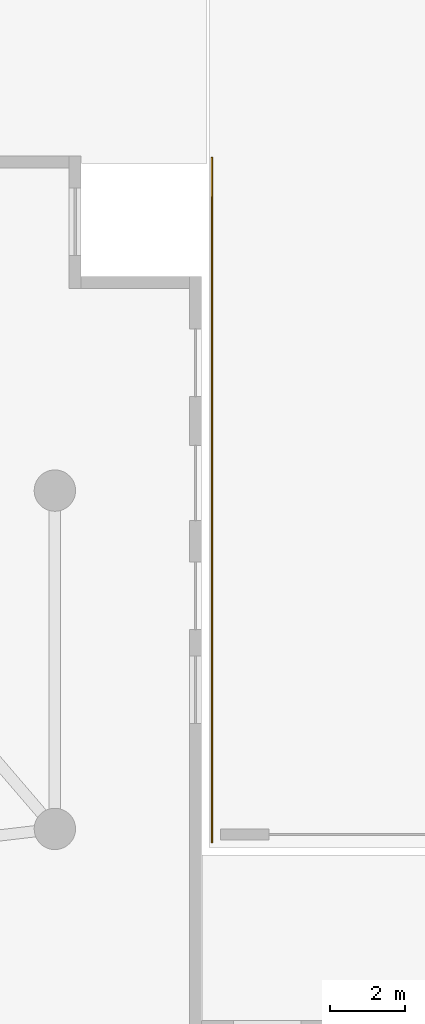
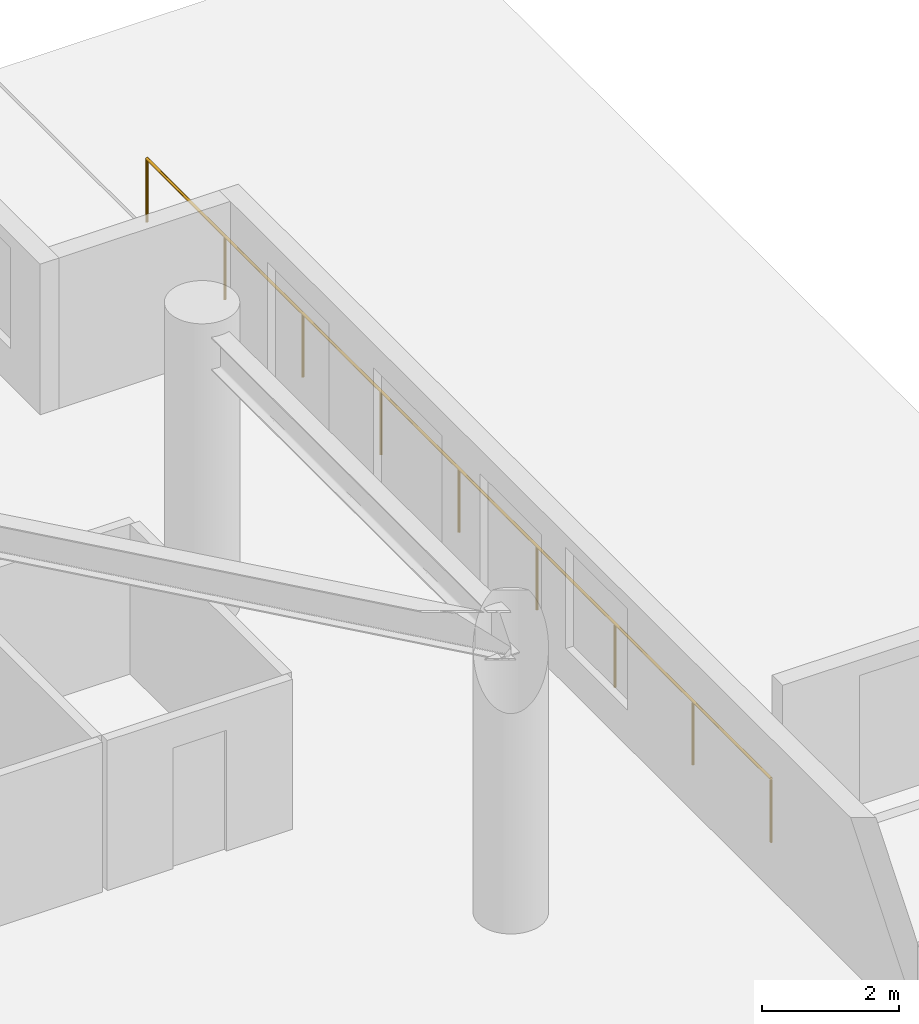
# One storey, part 23 of 24: 1 railing.
"""IFC4 building model written with IfcOpenShell, lengths in metres."""

from ifc_helpers import new_model, si_unit, direction, frame, origin, origin_2d, place, context, subcontext, project, spatial, circle, extrude, material, type_object, element, save


model = new_model("IFC4")

# Units and contexts
model_context = context("Model", 3, precision=1e-05, world=origin(), true_north=direction((0.0, 1.0)))
body_context = subcontext(model_context, "Body", "Model", "MODEL_VIEW")
ifc_project = project(units=[si_unit("LENGTHUNIT", "METRE"), si_unit("AREAUNIT", "SQUARE_METRE"), si_unit("VOLUMEUNIT", "CUBIC_METRE"), si_unit("PLANEANGLEUNIT", "RADIAN"), si_unit("MASSUNIT", "GRAM", prefix="KILO")], contexts=[model_context])

# Site, building, storey
site_placement = place(None, origin())
site = spatial("IfcSite", under=ifc_project, at=site_placement, CompositionType="ELEMENT")
building_placement = place(site_placement, origin())
building = spatial("IfcBuilding", under=site, at=building_placement, Name="Qingluan Cross Belvedere", CompositionType="ELEMENT")
storey_placement = place(building_placement, origin())
storey = spatial("IfcBuildingStorey", under=building, at=storey_placement, Name="L01", CompositionType="ELEMENT", Elevation=0.0)

# Railing
ifc_material = material(Name="Laminated glass and stainless steel balustrade", Category="steel")
railing_type = type_object("IfcRailingType", Name="TerraceGuardBalustrade_1150", PredefinedType="BALUSTRADE", material=ifc_material)
railing_placement = place(storey_placement, frame((32.679931640625, 14.14990234375, 0.0)))
element("IfcRailing", 1, at=railing_placement, inside=storey, type_object=railing_type, Name="Driveway apron protective guard L01-E", PredefinedType="BALUSTRADE", context=body_context, shape_type="SweptSolid", body=[
    extrude(circle(Radius=0.02392578125, at=origin_2d()), frame((0.0, 0.0, 1.1259765625), z_axis=(0.0, 1.0, 0.0), x_axis=(-1.0, 0.0, 0.0)), (0.0, 0.0, 1.0), 18.2001953125),
    extrude(circle(Radius=0.02099609375, at=origin_2d()), origin(), (0.0, 0.0, 1.0), 1.101806640625),
    extrude(circle(Radius=0.02099609375, at=origin_2d()), frame((0.0, 2.27490234375, 0.0)), (0.0, 0.0, 1.0), 1.101806640625),
    extrude(circle(Radius=0.02099609375, at=origin_2d()), frame((0.0, 4.550048828125, 0.0)), (0.0, 0.0, 1.0), 1.101806640625),
    extrude(circle(Radius=0.02099609375, at=origin_2d()), frame((0.0, 6.8251953125, 0.0)), (0.0, 0.0, 1.0), 1.101806640625),
    extrude(circle(Radius=0.02099609375, at=origin_2d()), frame((0.0, 9.10009765625, 0.0)), (0.0, 0.0, 1.0), 1.101806640625),
    extrude(circle(Radius=0.02099609375, at=origin_2d()), frame((0.0, 11.375, 0.0)), (0.0, 0.0, 1.0), 1.101806640625),
    extrude(circle(Radius=0.02099609375, at=origin_2d()), frame((0.0, 13.650146484375, 0.0)), (0.0, 0.0, 1.0), 1.101806640625),
    extrude(circle(Radius=0.02099609375, at=origin_2d()), frame((0.0, 15.92529296875, 0.0)), (0.0, 0.0, 1.0), 1.101806640625),
    extrude(circle(Radius=0.02099609375, at=origin_2d()), frame((0.0, 18.2001953125, 0.0)), (0.0, 0.0, 1.0), 1.101806640625),
])

save(model, "model.ifc")
